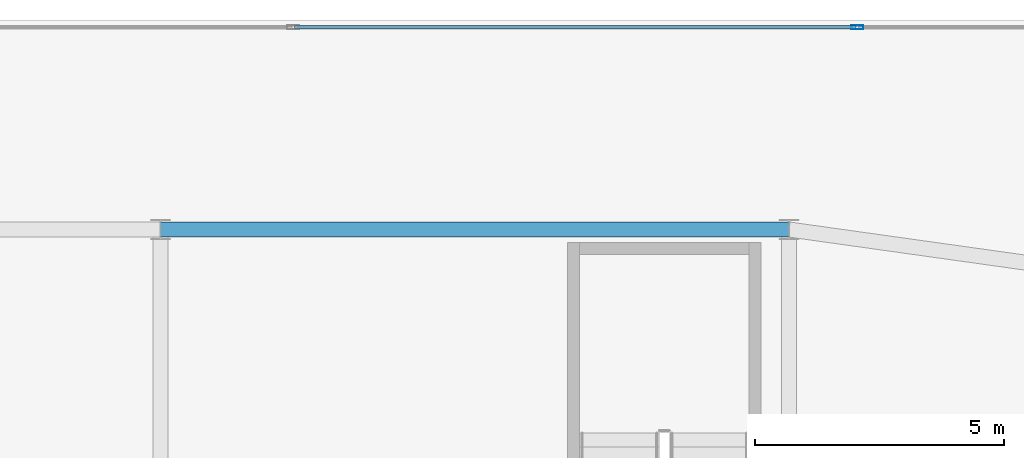
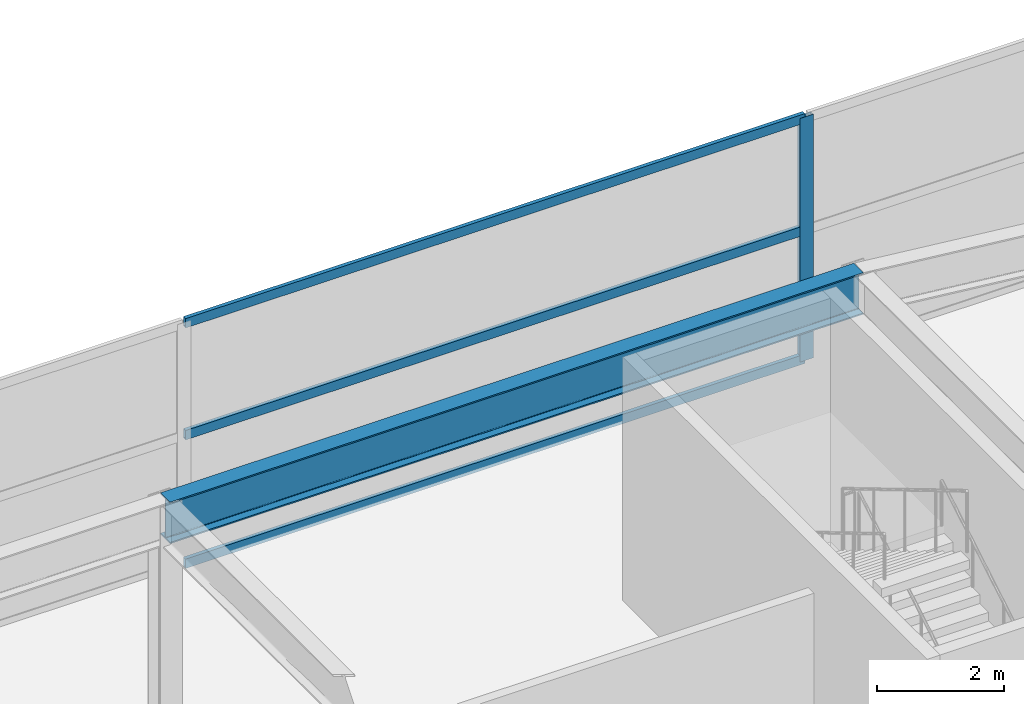
# One storey, part 20 of 35: 4 members, 1 beam, 1 element without a shape of its own.
"""IFC4 building model written with IfcOpenShell, lengths in metres."""

from ifc_helpers import new_model, si_unit, direction, frame, origin, origin_2d, place, context, subcontext, project, spatial, hollow_rectangle, i_section, extrude, material, layer, layer_set, material_profile, profile_set, type_object, element, aggregate, save


model = new_model("IFC4")

# Units and contexts
model_context = context("Model", 3, precision=1e-05, world=origin(), true_north=direction((0.0, 1.0)))
body_context = subcontext(model_context, "Body", "Model", "MODEL_VIEW")
ifc_project = project(units=[si_unit("LENGTHUNIT", "METRE"), si_unit("AREAUNIT", "SQUARE_METRE"), si_unit("VOLUMEUNIT", "CUBIC_METRE"), si_unit("PLANEANGLEUNIT", "RADIAN"), si_unit("MASSUNIT", "GRAM", prefix="KILO")], contexts=[model_context])

# Site, building, storey
site_placement = place(None, origin())
site = spatial("IfcSite", under=ifc_project, at=site_placement, CompositionType="ELEMENT")
building_placement = place(site_placement, origin())
building = spatial("IfcBuilding", under=site, at=building_placement, Name="Calvorn Quay Hotel", CompositionType="ELEMENT")
storey_placement = place(building_placement, frame((0.0, 0.0, 12.0)))
storey = spatial("IfcBuildingStorey", under=building, at=storey_placement, Name="L02", CompositionType="ELEMENT", Elevation=12.0)

# Beam
ifc_material_1 = material(Name="Steel Q390GJC", Category="steel")
ifc_material_profile_1 = material_profile(ifc_material_1, i_section(OverallWidth=0.300048828125, OverallDepth=0.800048828125, WebThickness=0.013916015625, FlangeThickness=0.02587890625, FilletRadius=0.02392578125, at=origin_2d()), Name="HN800x300x14x26")
ifc_profile_set_1 = profile_set([ifc_material_profile_1], Name="Steel Q390GJC")
beam_type = type_object("IfcBeamType", Name="BM-GIRD-POD", PredefinedType="BEAM", material=ifc_profile_set_1)
beam_placement = place(storey_placement, frame((45.0, 53.800048828125, 4.280029296875), z_axis=(1.0, 0.0, 0.0), x_axis=(0.0, 1.0, 0.0)))
element("IfcBeam", 1, at=beam_placement, inside=storey, type_object=beam_type, Name="Beam BG-L02-PN6", PredefinedType="BEAM", context=body_context, shape_type="SweptSolid", body=[
    extrude(i_section(OverallWidth=0.300048828125, OverallDepth=0.800048828125, WebThickness=0.013916015625, FlangeThickness=0.02587890625, FilletRadius=0.02392578125, at=origin_2d()), origin(), (0.0, 0.0, 1.0), 12.60009765625),
])

# Curtain wall, members
ifc_material_2 = material(Name="Pale Anodised Aluminium and Low-E Glass", Category="aluminium")
ifc_layer = layer(ifc_material_2, 0.219970703125)
ifc_layer_set = layer_set([ifc_layer], Name="CW-SYS-POD")
curtain_wall_type = type_object("IfcCurtainWallType", Name="CW-SYS-POD", PredefinedType="NOTDEFINED", material=ifc_layer_set)
curtain_wall_placement = place(storey_placement, origin())
curtain_wall = element("IfcCurtainWall", 2, at=curtain_wall_placement, inside=storey, type_object=curtain_wall_type, Name="Podium Curtain Wall L02-N1", PredefinedType="NOTDEFINED")
ifc_material_3 = material(Name="Pale Anodised Aluminium 6063-T6", Category="aluminium")
ifc_material_profile_2 = material_profile(ifc_material_3, hollow_rectangle(XDim=0.080078125, YDim=0.239990234375, WallThickness=0.0048828125, at=origin_2d()), Name="ALU-M240x80x5")
ifc_profile_set_2 = profile_set([ifc_material_profile_2], Name="Pale Anodised Aluminium 6063-T6")
member_type_1 = type_object("IfcMemberType", Name="CW-SYS-POD-MUL", PredefinedType="MULLION", material=ifc_profile_set_2)
member_1_placement = place(storey_placement, frame((58.971435546875, 57.85009765625, 0.0), z_axis=(0.0, 0.0, 1.0), x_axis=(0.0, 1.0, 0.0)))
member_1 = element("IfcMember", 3, at=member_1_placement, type_object=member_type_1, Name="CW-L02-N1 mullion 6", PredefinedType="MULLION", context=body_context, shape_type="SweptSolid", body=[
    extrude(hollow_rectangle(XDim=0.080078125, YDim=0.239990234375, WallThickness=0.0048828125, at=origin_2d()), origin(), (0.0, 0.0, 1.0), 4.679931640625),
])
ifc_material_4 = material(Name="Pale Anodised Aluminium 6063-T6", Category="aluminium")
ifc_material_profile_3 = material_profile(ifc_material_4, hollow_rectangle(XDim=0.070068359375, YDim=0.179931640625, WallThickness=0.00390625, at=origin_2d()), Name="ALU-T180x70x4")
ifc_profile_set_3 = profile_set([ifc_material_profile_3], Name="Pale Anodised Aluminium 6063-T6")
member_type_2 = type_object("IfcMemberType", Name="CW-SYS-POD-TRN", PredefinedType="USERDEFINED", material=ifc_profile_set_3)
member_2_placement = place(storey_placement, frame((47.687255859375, 57.85009765625, 0.030029296875), z_axis=(1.0, 0.0, 0.0), x_axis=(0.0, 1.0, 0.0)))
member_2 = element("IfcMember", 4, at=member_2_placement, type_object=member_type_2, Name="CW-L02-N1 transom 5.1", ObjectType="TRANSOM", PredefinedType="USERDEFINED", context=body_context, shape_type="SweptSolid", body=[
    extrude(hollow_rectangle(XDim=0.070068359375, YDim=0.179931640625, WallThickness=0.00390625, at=origin_2d()), origin(), (0.0, 0.0, 1.0), 11.254150390625),
])
member_3_placement = place(storey_placement, frame((47.687255859375, 57.85009765625, 2.5), z_axis=(1.0, 0.0, 0.0), x_axis=(0.0, 1.0, 0.0)))
member_3 = element("IfcMember", 5, at=member_3_placement, type_object=member_type_2, Name="CW-L02-N1 transom 5.2", ObjectType="TRANSOM", PredefinedType="USERDEFINED", context=body_context, shape_type="SweptSolid", body=[
    extrude(hollow_rectangle(XDim=0.070068359375, YDim=0.179931640625, WallThickness=0.00390625, at=origin_2d()), origin(), (0.0, 0.0, 1.0), 11.254150390625),
])
member_4_placement = place(storey_placement, frame((47.687255859375, 57.85009765625, 4.64990234375), z_axis=(1.0, 0.0, 0.0), x_axis=(0.0, 1.0, 0.0)))
member_4 = element("IfcMember", 6, at=member_4_placement, type_object=member_type_2, Name="CW-L02-N1 transom 5.3", ObjectType="TRANSOM", PredefinedType="USERDEFINED", context=body_context, shape_type="SweptSolid", body=[
    extrude(hollow_rectangle(XDim=0.070068359375, YDim=0.179931640625, WallThickness=0.00390625, at=origin_2d()), origin(), (0.0, 0.0, 1.0), 11.254150390625),
])
aggregate(curtain_wall, [member_1, member_2, member_3, member_4])

save(model, "model.ifc")
